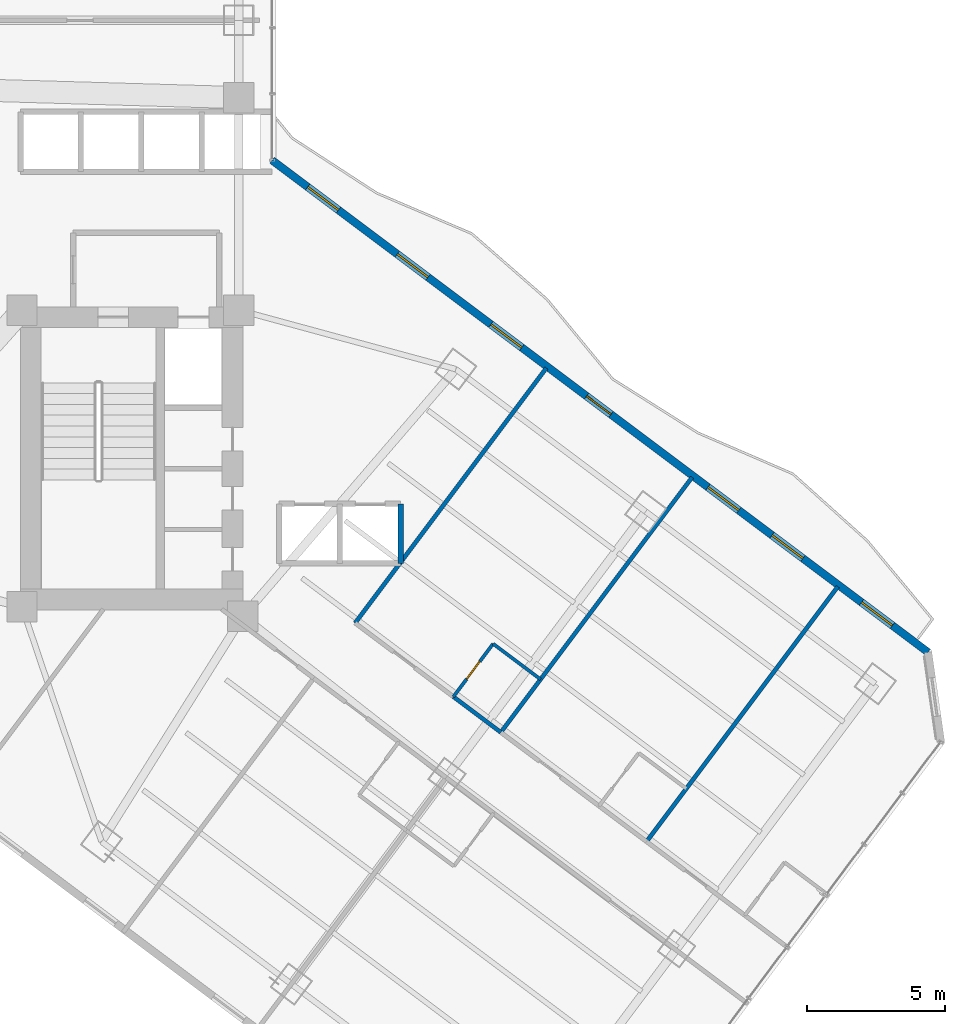
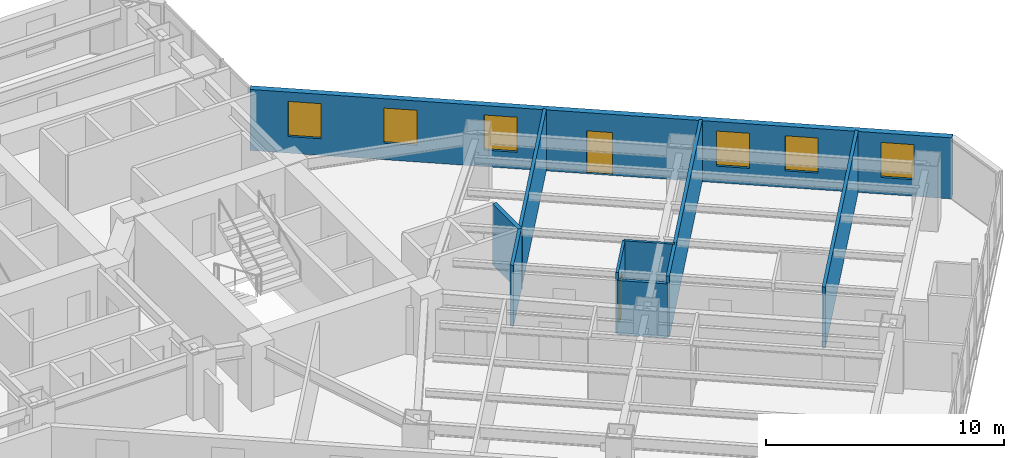
# One storey, part 25 of 37: 8 walls, 6 windows, 2 doors, 8 openings.
"""IFC4 building model written with IfcOpenShell, lengths in metres."""

from ifc_helpers import new_model, si_unit, direction, frame, frame_2d, origin, place, context, subcontext, project, spatial, rectangle, extrude, material, layer, layer_set, type_object, element, fill, save


model = new_model("IFC4")

# Units and contexts
model_context = context("Model", 3, precision=1e-05, world=origin(), true_north=direction((0.0, 1.0)))
body_context = subcontext(model_context, "Body", "Model", "MODEL_VIEW")
ifc_project = project(units=[si_unit("LENGTHUNIT", "METRE"), si_unit("AREAUNIT", "SQUARE_METRE"), si_unit("VOLUMEUNIT", "CUBIC_METRE"), si_unit("PLANEANGLEUNIT", "RADIAN"), si_unit("MASSUNIT", "GRAM", prefix="KILO")], contexts=[model_context])

# Site, building, storey
site_placement = place(None, origin())
site = spatial("IfcSite", under=ifc_project, at=site_placement, CompositionType="ELEMENT")
building_placement = place(site_placement, origin())
building = spatial("IfcBuilding", under=site, at=building_placement, Name="Hatsunagi Terrace Concourse", CompositionType="ELEMENT")
storey_placement = place(building_placement, frame((0.0, 0.0, 39.949951171875)))
storey = spatial("IfcBuildingStorey", under=building, at=storey_placement, Name="L09", CompositionType="ELEMENT", Elevation=39.949951171875)

# Wall, opening, door
ifc_material_1 = material(Name="Acoustic mineral board", Category="gypsum")
ifc_layer_1 = layer(ifc_material_1, 0.1201171875)
ifc_layer_set_1 = layer_set([ifc_layer_1], Name="PartitionWall_EI30_120")
wall_type_1 = type_object("IfcWallType", Name="PartitionWall_EI30_120", PredefinedType="PARTITIONING", material=ifc_layer_set_1)
wall_1_placement = place(storey_placement, frame((51.429931640625, 21.2900390625, 0.0), z_axis=(0.0, 0.0, 1.0), x_axis=(0.600065100855, 0.79995117022, 0.0)))
wall_1 = element("IfcWall", 1, at=wall_1_placement, inside=storey, type_object=wall_type_1, Name="Interior Partition IW-L09-070", PredefinedType="PARTITIONING", context=body_context, shape_type="SweptSolid", body=[
    extrude(rectangle(XDim=2.400146484375, YDim=0.1201171875, at=frame_2d((1.2001953125, 0.0))), origin(), (0.0, 0.0, 1.0), 3.130126953125),
])
opening_1_placement = place(wall_1_placement, frame((0.800048828125, 0.0, 0.0)))
opening_1 = element("IfcOpeningElement", 2, at=opening_1_placement, cuts=wall_1, Name="Opening DR-080", PredefinedType="OPENING", context=body_context, shape_type="SweptSolid", body=[
    extrude(rectangle(XDim=0.800048828125, YDim=2.06005859375, at=frame_2d((0.39990234375, 1.030029296875))), frame((0.0, 0.070068359375, 0.0), z_axis=(0.0, -1.0, 0.0), x_axis=(1.0, 0.0, 0.0)), (0.0, 0.0, 1.0), 0.14013671875),
])
ifc_material_2 = material(Name="Hardwood timber", Category="wood")
door_type_1 = type_object("IfcDoorType", Name="BathroomDoor_800", OperationType="NOTDEFINED", PredefinedType="DOOR", material=ifc_material_2)
door_1_placement = place(opening_1_placement, origin())
door_1 = element("IfcDoor", 3, at=door_1_placement, inside=storey, type_object=door_type_1, Name="En-Suite Bathroom L09-SENE1 Door", OperationType="SINGLE_SWING_LEFT", OverallHeight=2.06005859375, OverallWidth=0.800048828125, PredefinedType="DOOR", context=body_context, shape_type="SweptSolid", body=[
    extrude(rectangle(XDim=0.800048828125, YDim=2.06005859375, at=frame_2d((0.39990234375, 1.030029296875))), frame((0.0, 0.02490234375, 0.0), z_axis=(0.0, -1.0, 0.0), x_axis=(1.0, 0.0, 0.0)), (0.0, 0.0, 1.0), 0.050048828125),
])
fill(opening_1, door_1)

# Walls
wall_2_placement = place(storey_placement, frame((52.8701171875, 23.2099609375, 0.0), z_axis=(0.0, 0.0, 1.0), x_axis=(0.79998637334, -0.60001816845, 0.0)))
element("IfcWall", 4, at=wall_2_placement, inside=storey, type_object=wall_type_1, Name="Interior Partition IW-L09-071", PredefinedType="PARTITIONING", context=body_context, shape_type="SweptSolid", body=[
    extrude(rectangle(XDim=2.14990234375, YDim=0.1201171875, at=frame_2d((1.074951171875, 0.0))), origin(), (0.0, 0.0, 1.0), 3.130126953125),
])
ifc_material_3 = material(Name="Acoustic mineral board", Category="gypsum")
ifc_layer_2 = layer(ifc_material_3, 0.14990234375)
ifc_layer_set_2 = layer_set([ifc_layer_2], Name="PartitionWall_EI60_150")
wall_type_2 = type_object("IfcWallType", Name="PartitionWall_EI60_150", PredefinedType="PARTITIONING", material=ifc_layer_set_2)
wall_3_placement = place(storey_placement, frame((51.429931640625, 21.2900390625, 0.0), z_axis=(0.0, 0.0, 1.0), x_axis=(0.79998637334, -0.60001816845, 0.0)))
element("IfcWall", 5, at=wall_3_placement, inside=storey, type_object=wall_type_2, Name="Interior Partition IW-L09-069", PredefinedType="PARTITIONING", context=body_context, shape_type="SweptSolid", body=[
    extrude(rectangle(XDim=2.14990234375, YDim=0.14990234375, at=frame_2d((1.074951171875, 0.0))), origin(), (0.0, 0.0, 1.0), 2.775146484375),
])
for number, where, z_axis, x_axis, name in (
    (6, (47.8701171875, 23.9599609375, 0.0), (0.0, 0.0, 1.0), (0.599996617946, 0.80000253653, 0.0), "Interior Partition IW-L09-072"),
    (7, (53.14990234375, 20.0, 0.0), (0.0, 0.0, 1.0), (0.60001014597, 0.799992390422, 0.0), "Interior Partition IW-L09-073"),
    (8, (58.429931640625, 16.0400390625, 0.0), (0.0, 0.0, 1.0), (0.60001014597, 0.799992390422, 0.0), "Interior Partition IW-L09-078"),
):
    element("IfcWall", number, at=place(storey_placement, frame(where, z_axis=z_axis, x_axis=x_axis)), inside=storey, type_object=wall_type_2, Name=name, PredefinedType="PARTITIONING", context=body_context, shape_type="SweptSolid", body=[
        extrude(rectangle(XDim=11.550048828125, YDim=0.14990234375, at=frame_2d((5.77490234375, 0.0))), origin(), (0.0, 0.0, 1.0), 3.130126953125),
    ])
ifc_material_4 = material(Name="Acoustic mineral board", Category="gypsum")
ifc_layer_3 = layer(ifc_material_4, 0.199951171875)
ifc_layer_set_3 = layer_set([ifc_layer_3], Name="ShaftWall_EI120_200")
wall_type_3 = type_object("IfcWallType", Name="ShaftWall_EI120_200", PredefinedType="STANDARD", material=ifc_layer_set_3)
wall_4_placement = place(storey_placement, frame((49.52001953125, 26.1201171875, 0.0), z_axis=(0.0, 0.0, 1.0), x_axis=(0.0, 1.0, 0.0)))
element("IfcWall", 9, at=wall_4_placement, inside=storey, type_object=wall_type_3, Name="Interior Partition IW-L09-028", PredefinedType="STANDARD", context=body_context, shape_type="SweptSolid", body=[
    extrude(rectangle(XDim=2.159912109375, YDim=0.199951171875, at=frame_2d((1.080078125, 0.0))), origin(), (0.0, 0.0, 1.0), 3.130126953125),
])

# Wall, openings, door, windows
ifc_material_5 = material(Name="Autoclaved Lightweight Concrete and Terracotta Cladding", Category="masonry")
ifc_layer_4 = layer(ifc_material_5, 0.280029296875)
ifc_layer_set_4 = layer_set([ifc_layer_4], Name="TerracottaSpandrelWall_280")
wall_type_4 = type_object("IfcWallType", Name="TerracottaSpandrelWall_280", PredefinedType="STANDARD", material=ifc_layer_set_4)
wall_5_placement = place(storey_placement, frame((44.860107421875, 40.72998046875, 0.0), z_axis=(0.0, 0.0, 1.0), x_axis=(0.800006902154, -0.599990797017, 0.0)))
wall_5 = element("IfcWall", 10, at=wall_5_placement, inside=storey, type_object=wall_type_4, Name="Exterior Spandrel Wall EW-L09-01", PredefinedType="STANDARD", context=body_context, shape_type="SweptSolid", body=[
    extrude(rectangle(XDim=29.7119140625, YDim=0.280029296875, at=frame_2d((14.85595703125, 0.0))), origin(), (0.0, 0.0, 1.0), 3.130126953125),
])
opening_2_placement = place(wall_5_placement, frame((14.2490234375, 0.0, 0.0)))
opening_2 = element("IfcOpeningElement", 11, at=opening_2_placement, cuts=wall_5, Name="Opening BD-01", PredefinedType="OPENING", context=body_context, shape_type="SweptSolid", body=[
    extrude(rectangle(XDim=1.10009765625, YDim=2.199951171875, at=frame_2d((0.550048828125, 1.10009765625))), frame((0.0, 0.14990234375, 0.0), z_axis=(0.0, -1.0, 0.0), x_axis=(1.0, 0.0, 0.0)), (0.0, 0.0, 1.0), 0.300048828125),
])
opening_3_placement = place(wall_5_placement, frame((1.612060546875, 0.0, 0.85009765625)))
opening_3 = element("IfcOpeningElement", 12, at=opening_3_placement, cuts=wall_5, Name="Opening WIN-02", PredefinedType="OPENING", context=body_context, shape_type="SweptSolid", body=[
    extrude(rectangle(XDim=1.39990234375, YDim=1.800048828125, at=frame_2d((0.699951171875, 0.89990234375))), frame((0.0, 0.14990234375, 0.0), z_axis=(0.0, -1.0, 0.0), x_axis=(1.0, 0.0, 0.0)), (0.0, 0.0, 1.0), 0.300048828125),
])
opening_4_placement = place(wall_5_placement, frame((5.6669921875, 0.0, 0.85009765625)))
opening_4 = element("IfcOpeningElement", 13, at=opening_4_placement, cuts=wall_5, Name="Opening WIN-02", PredefinedType="OPENING", context=body_context, shape_type="SweptSolid", body=[
    extrude(rectangle(XDim=1.39990234375, YDim=1.800048828125, at=frame_2d((0.699951171875, 0.89990234375))), frame((0.0, 0.14990234375, 0.0), z_axis=(0.0, -1.0, 0.0), x_axis=(1.0, 0.0, 0.0)), (0.0, 0.0, 1.0), 0.300048828125),
])
opening_5_placement = place(wall_5_placement, frame((9.912109375, 0.0, 0.85009765625)))
opening_5 = element("IfcOpeningElement", 14, at=opening_5_placement, cuts=wall_5, Name="Opening WIN-02", PredefinedType="OPENING", context=body_context, shape_type="SweptSolid", body=[
    extrude(rectangle(XDim=1.39990234375, YDim=1.800048828125, at=frame_2d((0.699951171875, 0.89990234375))), frame((0.0, 0.14990234375, 0.0), z_axis=(0.0, -1.0, 0.0), x_axis=(1.0, 0.0, 0.0)), (0.0, 0.0, 1.0), 0.300048828125),
])
opening_6_placement = place(wall_5_placement, frame((19.742919921875, 0.0, 0.85009765625)))
opening_6 = element("IfcOpeningElement", 15, at=opening_6_placement, cuts=wall_5, Name="Opening WIN-02", PredefinedType="OPENING", context=body_context, shape_type="SweptSolid", body=[
    extrude(rectangle(XDim=1.39990234375, YDim=1.800048828125, at=frame_2d((0.699951171875, 0.89990234375))), frame((0.0, 0.14990234375, 0.0), z_axis=(0.0, -1.0, 0.0), x_axis=(1.0, 0.0, 0.0)), (0.0, 0.0, 1.0), 0.300048828125),
])
opening_7_placement = place(wall_5_placement, frame((22.64501953125, 0.0, 0.85009765625)))
opening_7 = element("IfcOpeningElement", 16, at=opening_7_placement, cuts=wall_5, Name="Opening WIN-02", PredefinedType="OPENING", context=body_context, shape_type="SweptSolid", body=[
    extrude(rectangle(XDim=1.39990234375, YDim=1.800048828125, at=frame_2d((0.699951171875, 0.89990234375))), frame((0.0, 0.14990234375, 0.0), z_axis=(0.0, -1.0, 0.0), x_axis=(1.0, 0.0, 0.0)), (0.0, 0.0, 1.0), 0.300048828125),
])
opening_8_placement = place(wall_5_placement, frame((26.699951171875, 0.0, 0.85009765625)))
opening_8 = element("IfcOpeningElement", 17, at=opening_8_placement, cuts=wall_5, Name="Opening WIN-02", PredefinedType="OPENING", context=body_context, shape_type="SweptSolid", body=[
    extrude(rectangle(XDim=1.39990234375, YDim=1.800048828125, at=frame_2d((0.699951171875, 0.89990234375))), frame((0.0, 0.14990234375, 0.0), z_axis=(0.0, -1.0, 0.0), x_axis=(1.0, 0.0, 0.0)), (0.0, 0.0, 1.0), 0.300048828125),
])
ifc_material_6 = material(Name="Galvanised Steel and Laminated Safety Glass", Category="steel")
door_type_2 = type_object("IfcDoorType", Name="BalconyTerraceAccessDoor_1100x2200", OperationType="SINGLE_SWING_LEFT", PredefinedType="DOOR", material=ifc_material_6)
door_2_placement = place(opening_2_placement, origin())
door_2 = element("IfcDoor", 18, at=door_2_placement, inside=storey, type_object=door_type_2, Name="Engawa Balcony Door L09-BSE", OperationType="SINGLE_SWING_LEFT", OverallHeight=2.199951171875, OverallWidth=1.10009765625, PredefinedType="DOOR", context=body_context, shape_type="SweptSolid", body=[
    extrude(rectangle(XDim=1.10009765625, YDim=2.199951171875, at=frame_2d((0.550048828125, 1.10009765625))), frame((0.0, 0.02490234375, 0.0), z_axis=(0.0, -1.0, 0.0), x_axis=(1.0, 0.0, 0.0)), (0.0, 0.0, 1.0), 0.050048828125),
])
fill(opening_2, door_2)
ifc_material_7 = material(Name="Thermally Broken Aluminium and Low-E Triple Glazing", Category="aluminium")
window_type = type_object("IfcWindowType", Name="HotelOperableVentWindow_1400x1800", PartitioningType="DOUBLE_PANEL_VERTICAL", PredefinedType="WINDOW", material=ifc_material_7)
window_1_placement = place(opening_3_placement, origin())
window_1 = element("IfcWindow", 19, at=window_1_placement, inside=storey, type_object=window_type, Name="Balcony Daylighting Window L09-01-1", OverallHeight=1.800048828125, OverallWidth=1.39990234375, PartitioningType="SINGLE_PANEL", PredefinedType="WINDOW", context=body_context, shape_type="SweptSolid", body=[
    extrude(rectangle(XDim=1.39990234375, YDim=1.800048828125, at=frame_2d((0.699951171875, 0.89990234375))), frame((0.0, 0.030029296875, 0.0), z_axis=(0.0, -1.0, 0.0), x_axis=(1.0, 0.0, 0.0)), (0.0, 0.0, 1.0), 0.06005859375),
])
fill(opening_3, window_1)
window_2_placement = place(opening_4_placement, origin())
window_2 = element("IfcWindow", 20, at=window_2_placement, inside=storey, type_object=window_type, Name="Balcony Daylighting Window L09-01-2", OverallHeight=1.800048828125, OverallWidth=1.39990234375, PartitioningType="SINGLE_PANEL", PredefinedType="WINDOW", context=body_context, shape_type="SweptSolid", body=[
    extrude(rectangle(XDim=1.39990234375, YDim=1.800048828125, at=frame_2d((0.699951171875, 0.89990234375))), frame((0.0, 0.030029296875, 0.0), z_axis=(0.0, -1.0, 0.0), x_axis=(1.0, 0.0, 0.0)), (0.0, 0.0, 1.0), 0.06005859375),
])
fill(opening_4, window_2)
window_3_placement = place(opening_5_placement, origin())
window_3 = element("IfcWindow", 21, at=window_3_placement, inside=storey, type_object=window_type, Name="Balcony Daylighting Window L09-01-3", OverallHeight=1.800048828125, OverallWidth=1.39990234375, PartitioningType="SINGLE_PANEL", PredefinedType="WINDOW", context=body_context, shape_type="SweptSolid", body=[
    extrude(rectangle(XDim=1.39990234375, YDim=1.800048828125, at=frame_2d((0.699951171875, 0.89990234375))), frame((0.0, 0.030029296875, 0.0), z_axis=(0.0, -1.0, 0.0), x_axis=(1.0, 0.0, 0.0)), (0.0, 0.0, 1.0), 0.06005859375),
])
fill(opening_5, window_3)
window_4_placement = place(opening_6_placement, origin())
window_4 = element("IfcWindow", 22, at=window_4_placement, inside=storey, type_object=window_type, Name="Balcony Daylighting Window L09-01-5", OverallHeight=1.800048828125, OverallWidth=1.39990234375, PartitioningType="SINGLE_PANEL", PredefinedType="WINDOW", context=body_context, shape_type="SweptSolid", body=[
    extrude(rectangle(XDim=1.39990234375, YDim=1.800048828125, at=frame_2d((0.699951171875, 0.89990234375))), frame((0.0, 0.030029296875, 0.0), z_axis=(0.0, -1.0, 0.0), x_axis=(1.0, 0.0, 0.0)), (0.0, 0.0, 1.0), 0.06005859375),
])
fill(opening_6, window_4)
window_5_placement = place(opening_7_placement, origin())
window_5 = element("IfcWindow", 23, at=window_5_placement, inside=storey, type_object=window_type, Name="Balcony Daylighting Window L09-01-6", OverallHeight=1.800048828125, OverallWidth=1.39990234375, PartitioningType="SINGLE_PANEL", PredefinedType="WINDOW", context=body_context, shape_type="SweptSolid", body=[
    extrude(rectangle(XDim=1.39990234375, YDim=1.800048828125, at=frame_2d((0.699951171875, 0.89990234375))), frame((0.0, 0.030029296875, 0.0), z_axis=(0.0, -1.0, 0.0), x_axis=(1.0, 0.0, 0.0)), (0.0, 0.0, 1.0), 0.06005859375),
])
fill(opening_7, window_5)
window_6_placement = place(opening_8_placement, origin())
window_6 = element("IfcWindow", 24, at=window_6_placement, inside=storey, type_object=window_type, Name="Balcony Daylighting Window L09-01-7", OverallHeight=1.800048828125, OverallWidth=1.39990234375, PartitioningType="SINGLE_PANEL", PredefinedType="WINDOW", context=body_context, shape_type="SweptSolid", body=[
    extrude(rectangle(XDim=1.39990234375, YDim=1.800048828125, at=frame_2d((0.699951171875, 0.89990234375))), frame((0.0, 0.030029296875, 0.0), z_axis=(0.0, -1.0, 0.0), x_axis=(1.0, 0.0, 0.0)), (0.0, 0.0, 1.0), 0.06005859375),
])
fill(opening_8, window_6)

save(model, "model.ifc")
